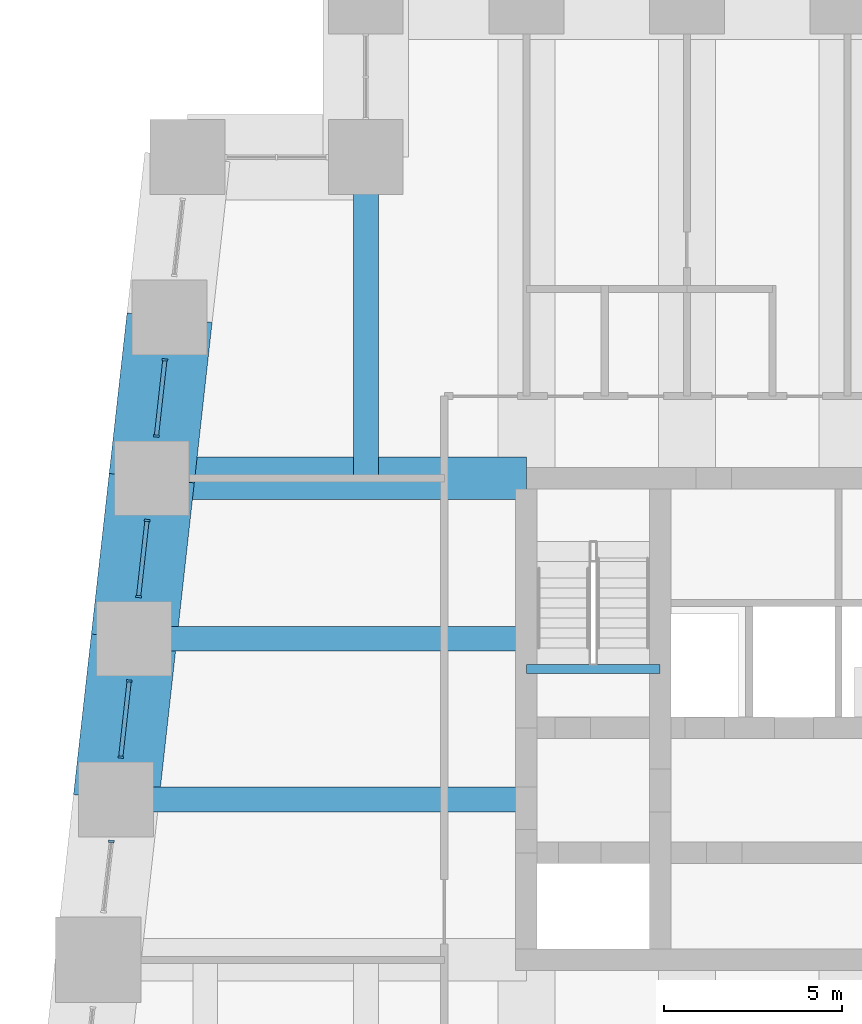
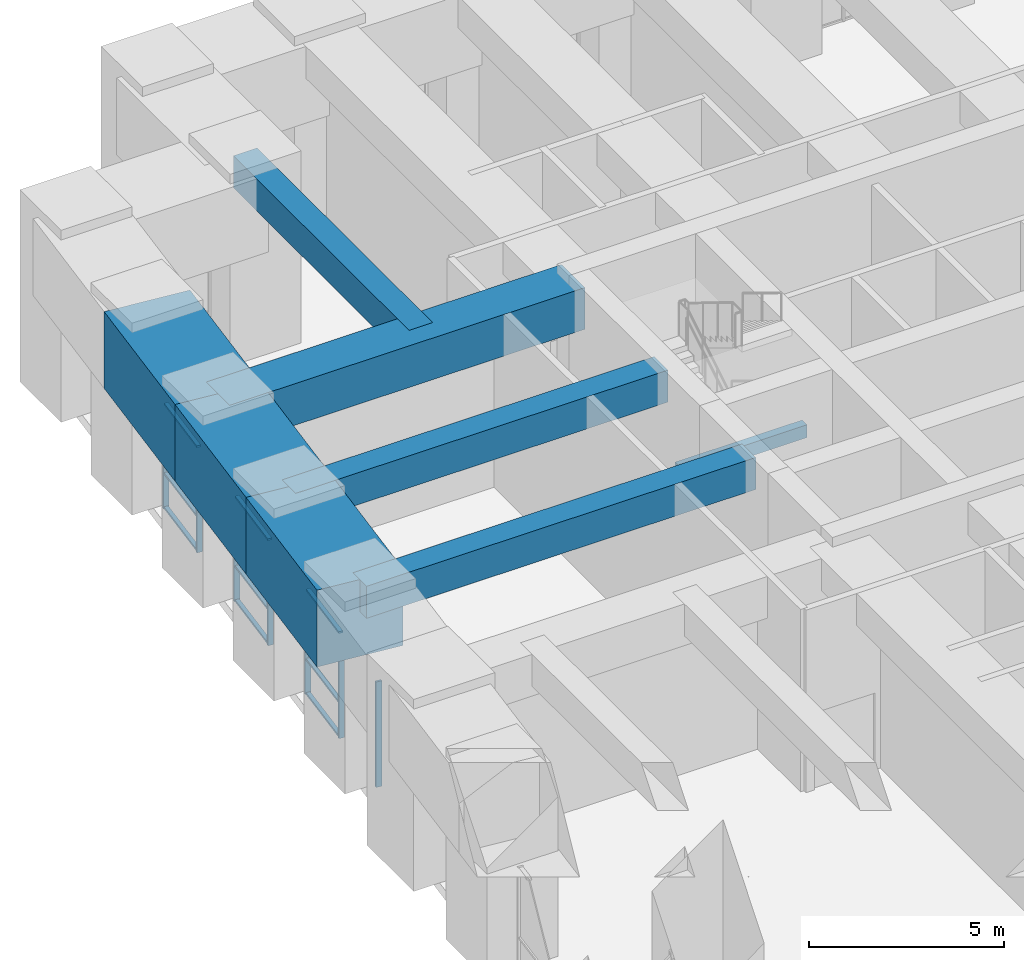
# One storey, part 4 of 17: 16 members, 8 beams, 4 elements without a shape of their own.
"""IFC4 building model written with IfcOpenShell, lengths in metres."""

from ifc_helpers import new_model, si_unit, direction, frame, origin, origin_2d, place, context, subcontext, project, spatial, rectangle, extrude, material, material_profile, profile_set, type_object, element, aggregate, save


model = new_model("IFC4")

# Units and contexts
model_context = context("Model", 3, precision=1e-05, world=origin(), true_north=direction((0.0, 1.0)))
body_context = subcontext(model_context, "Body", "Model", "MODEL_VIEW")
ifc_project = project(units=[si_unit("LENGTHUNIT", "METRE"), si_unit("AREAUNIT", "SQUARE_METRE"), si_unit("VOLUMEUNIT", "CUBIC_METRE"), si_unit("PLANEANGLEUNIT", "RADIAN"), si_unit("MASSUNIT", "GRAM", prefix="KILO")], contexts=[model_context])

# Site, building, storey
site_placement = place(None, origin())
site = spatial("IfcSite", under=ifc_project, at=site_placement, CompositionType="ELEMENT")
building_placement = place(site_placement, origin())
building = spatial("IfcBuilding", under=site, at=building_placement, Name="Kilele Tower Hotel", CompositionType="ELEMENT")
storey_placement = place(building_placement, frame((0.0, 0.0, 145.89990234375)))
storey = spatial("IfcBuildingStorey", under=building, at=storey_placement, Name="L38", CompositionType="ELEMENT", Elevation=145.89990234375)

# Beams
ifc_material_1 = material(Name="Concrete C60/75", Category="concrete")
ifc_material_profile_1 = material_profile(ifc_material_1, rectangle(XDim=0.699951171875, YDim=1.0, at=origin_2d()))
ifc_profile_set_1 = profile_set([ifc_material_profile_1], Name="Concrete C60/75")
beam_type_1 = type_object("IfcBeamType", Name="Beam RC 700x1000 C60/75 mid span", PredefinedType="BEAM", material=ifc_profile_set_1)
beam_1_placement = place(storey_placement, frame((9.0, 36.0, 5.2001953125), z_axis=(0.0, -1.0, 0.0), x_axis=(1.0, 0.0, 0.0)))
element("IfcBeam", 1, at=beam_1_placement, inside=storey, type_object=beam_type_1, Name="Beam B5 level L39", PredefinedType="BEAM", context=body_context, shape_type="SweptSolid", body=[
    extrude(rectangle(XDim=0.699951171875, YDim=1.0, at=origin_2d()), origin(), (0.0, 0.0, 1.0), 9.0),
])
beam_2_placement = place(storey_placement, frame((2.5, 22.5, 5.2001953125), z_axis=(1.0, 0.0, 0.0), x_axis=(0.0, 1.0, 0.0)))
element("IfcBeam", 2, at=beam_2_placement, inside=storey, type_object=beam_type_1, Name="Beam B5 level L39", PredefinedType="BEAM", context=body_context, shape_type="SweptSolid", body=[
    extrude(rectangle(XDim=0.699951171875, YDim=1.0, at=origin_2d()), origin(), (0.0, 0.0, 1.0), 11.0),
])
beam_3_placement = place(storey_placement, frame((2.0, 18.0, 5.2001953125), z_axis=(1.0, 0.0, 0.0), x_axis=(0.0, 1.0, 0.0)))
element("IfcBeam", 3, at=beam_3_placement, inside=storey, type_object=beam_type_1, Name="Beam B5 level L39", PredefinedType="BEAM", context=body_context, shape_type="SweptSolid", body=[
    extrude(rectangle(XDim=0.699951171875, YDim=1.0, at=origin_2d()), origin(), (0.0, 0.0, 1.0), 11.5),
])
ifc_material_2 = material(Name="Concrete C60/75", Category="concrete")
ifc_material_profile_2 = material_profile(ifc_material_2, rectangle(XDim=1.199951171875, YDim=1.300048828125, at=origin_2d()))
ifc_profile_set_2 = profile_set([ifc_material_profile_2], Name="Concrete C60/75")
beam_type_2 = type_object("IfcBeamType", Name="Girder RC 1200x1300 C60/75 mid span", PredefinedType="BEAM", material=ifc_profile_set_2)
beam_4_placement = place(storey_placement, frame((3.0, 27.0, 5.050048828125), z_axis=(1.0, 0.0, 0.0), x_axis=(0.0, 1.0, 0.0)))
element("IfcBeam", 4, at=beam_4_placement, inside=storey, type_object=beam_type_2, Name="Girder G3 level L39", PredefinedType="BEAM", context=body_context, shape_type="SweptSolid", body=[
    extrude(rectangle(XDim=1.199951171875, YDim=1.300048828125, at=origin_2d()), origin(), (0.0, 0.0, 1.0), 10.5),
])
ifc_material_3 = material(Name="Concrete C40/50", Category="concrete")
ifc_material_profile_3 = material_profile(ifc_material_3, rectangle(XDim=0.25, YDim=0.39990234375, at=origin_2d()))
ifc_profile_set_3 = profile_set([ifc_material_profile_3], Name="Concrete C40/50")
beam_type_3 = type_object("IfcBeamType", Name="Landing beam RC 250x400 C40/50", PredefinedType="BEAM", material=ifc_profile_set_3)
beam_5_placement = place(storey_placement, frame((13.5, 21.64990234375, 2.857177734375), z_axis=(1.0, 0.0, 0.0), x_axis=(0.0, 1.0, 0.0)))
element("IfcBeam", 5, at=beam_5_placement, inside=storey, type_object=beam_type_3, Name="Landing beam ST1 L38", PredefinedType="BEAM", context=body_context, shape_type="SweptSolid", body=[
    extrude(rectangle(XDim=0.25, YDim=0.39990234375, at=origin_2d()), origin(), (0.0, 0.0, 1.0), 3.75),
])

# Curtain wall, members
ifc_material_4 = material(Name="Aluminium curtain wall, clear double glazing", Category="aluminium")
curtain_wall_type = type_object("IfcCurtainWallType", Name="Sky lobby curtain wall CW-3", PredefinedType="NOTDEFINED", material=ifc_material_4)
curtain_wall_1_placement = place(storey_placement, origin())
curtain_wall_1 = element("IfcCurtainWall", 6, at=curtain_wall_1_placement, inside=storey, type_object=curtain_wall_type, Name="Sky lobby curtain wall CW-3 L38", PredefinedType="NOTDEFINED")
ifc_material_5 = material(Name="Aluminium EN AW-6063 T6", Category="aluminium")
ifc_material_profile_4 = material_profile(ifc_material_5, rectangle(XDim=0.159912109375, YDim=0.06005859375, at=origin_2d()))
ifc_profile_set_4 = profile_set([ifc_material_profile_4], Name="Aluminium EN AW-6063 T6")
member_type_1 = type_object("IfcMemberType", Name="Mullion 60x160 CW-3", PredefinedType="MULLION", material=ifc_profile_set_4)
member_1_placement = place(storey_placement, frame((3.36865234375, 30.317626953125, 0.0), z_axis=(0.0, 0.0, 1.0), x_axis=(0.993883734629, -0.110431526475, 0.0)))
member_1 = element("IfcMember", 7, at=member_1_placement, type_object=member_type_1, Name="CW-3 mullion 1", PredefinedType="MULLION", context=body_context, shape_type="SweptSolid", body=[
    extrude(rectangle(XDim=0.159912109375, YDim=0.06005859375, at=origin_2d()), origin(), (0.0, 0.0, 1.0), 3.300048828125),
])
member_2_placement = place(storey_placement, frame((3.13134765625, 28.182373046875, 0.0), z_axis=(0.0, 0.0, 1.0), x_axis=(0.993883734629, -0.110431526475, 0.0)))
member_2 = element("IfcMember", 8, at=member_2_placement, type_object=member_type_1, Name="CW-3 mullion 2", PredefinedType="MULLION", context=body_context, shape_type="SweptSolid", body=[
    extrude(rectangle(XDim=0.159912109375, YDim=0.06005859375, at=origin_2d()), origin(), (0.0, 0.0, 1.0), 3.300048828125),
])

curtain_wall_2_placement = place(storey_placement, origin())
curtain_wall_2 = element("IfcCurtainWall", 9, at=curtain_wall_2_placement, inside=storey, type_object=curtain_wall_type, Name="Sky lobby curtain wall CW-3 L38", PredefinedType="NOTDEFINED")
member_3_placement = place(storey_placement, frame((2.86865234375, 25.817626953125, 0.0), z_axis=(0.0, 0.0, 1.0), x_axis=(0.993883734629, -0.110431526475, 0.0)))
member_3 = element("IfcMember", 10, at=member_3_placement, type_object=member_type_1, Name="CW-3 mullion 1", PredefinedType="MULLION", context=body_context, shape_type="SweptSolid", body=[
    extrude(rectangle(XDim=0.159912109375, YDim=0.06005859375, at=origin_2d()), origin(), (0.0, 0.0, 1.0), 3.300048828125),
])
member_4_placement = place(storey_placement, frame((2.63134765625, 23.682373046875, 0.0), z_axis=(0.0, 0.0, 1.0), x_axis=(0.993883734629, -0.110431526475, 0.0)))
member_4 = element("IfcMember", 11, at=member_4_placement, type_object=member_type_1, Name="CW-3 mullion 2", PredefinedType="MULLION", context=body_context, shape_type="SweptSolid", body=[
    extrude(rectangle(XDim=0.159912109375, YDim=0.06005859375, at=origin_2d()), origin(), (0.0, 0.0, 1.0), 3.300048828125),
])

curtain_wall_3_placement = place(storey_placement, origin())
curtain_wall_3 = element("IfcCurtainWall", 12, at=curtain_wall_3_placement, inside=storey, type_object=curtain_wall_type, Name="Sky lobby curtain wall CW-3 L38", PredefinedType="NOTDEFINED")
member_5_placement = place(storey_placement, frame((2.36865234375, 21.317626953125, 0.0), z_axis=(0.0, 0.0, 1.0), x_axis=(0.993883734629, -0.110431526475, 0.0)))
member_5 = element("IfcMember", 13, at=member_5_placement, type_object=member_type_1, Name="CW-3 mullion 1", PredefinedType="MULLION", context=body_context, shape_type="SweptSolid", body=[
    extrude(rectangle(XDim=0.159912109375, YDim=0.06005859375, at=origin_2d()), origin(), (0.0, 0.0, 1.0), 3.300048828125),
])
member_6_placement = place(storey_placement, frame((2.13134765625, 19.182373046875, 0.0), z_axis=(0.0, 0.0, 1.0), x_axis=(0.993883734629, -0.110431526475, 0.0)))
member_6 = element("IfcMember", 14, at=member_6_placement, type_object=member_type_1, Name="CW-3 mullion 2", PredefinedType="MULLION", context=body_context, shape_type="SweptSolid", body=[
    extrude(rectangle(XDim=0.159912109375, YDim=0.06005859375, at=origin_2d()), origin(), (0.0, 0.0, 1.0), 3.300048828125),
])

# Curtain wall, member
curtain_wall_4_placement = place(storey_placement, origin())
curtain_wall_4 = element("IfcCurtainWall", 15, at=curtain_wall_4_placement, inside=storey, type_object=curtain_wall_type, Name="Sky lobby curtain wall CW-3 L38", PredefinedType="NOTDEFINED")
member_7_placement = place(storey_placement, frame((1.86865234375, 16.817626953125, 0.0), z_axis=(0.0, 0.0, 1.0), x_axis=(0.993883734625, -0.11043152651, 0.0)))
member_7 = element("IfcMember", 16, at=member_7_placement, type_object=member_type_1, Name="CW-3 mullion 1", PredefinedType="MULLION", context=body_context, shape_type="SweptSolid", body=[
    extrude(rectangle(XDim=0.159912109375, YDim=0.06005859375, at=origin_2d()), origin(), (0.0, 0.0, 1.0), 3.300048828125),
])
aggregate(curtain_wall_4, [member_7])

# Beams
ifc_material_6 = material(Name="Concrete C60/75", Category="concrete")
ifc_material_profile_5 = material_profile(ifc_material_6, rectangle(XDim=2.39990234375, YDim=2.39990234375, at=origin_2d()))
ifc_profile_set_5 = profile_set([ifc_material_profile_5], Name="Concrete C60/75")
beam_type_4 = type_object("IfcBeamType", Name="Spandrel RC 2400x2400 C60/75", PredefinedType="SPANDREL", material=ifc_profile_set_5)
for number, where, z_axis, x_axis, name in (
    (17, (3.5, 31.5, 4.5), (-0.110431526075, -0.993883734674, 0.0), (0.993883734674, -0.110431526075, 0.0), "Spandrel SP15 level L39"),
    (18, (3.0, 27.0, 4.5), (-0.110431526075, -0.993883734674, 0.0), (0.993883734674, -0.110431526075, 0.0), "Spandrel SP15 level L39"),
    (19, (2.5, 22.5, 4.5), (-0.110431526075, -0.993883734674, 0.0), (0.993883734674, -0.110431526075, 0.0), "Spandrel SP15 level L39"),
):
    element("IfcBeam", number, at=place(storey_placement, frame(where, z_axis=z_axis, x_axis=x_axis)), inside=storey, type_object=beam_type_4, Name=name, PredefinedType="SPANDREL", context=body_context, shape_type="SweptSolid", body=[
        extrude(rectangle(XDim=2.39990234375, YDim=2.39990234375, at=origin_2d()), origin(), (0.0, 0.0, 1.0), 4.527587890625),
    ])

# Member
ifc_material_7 = material(Name="Aluminium EN AW-6063 T6", Category="aluminium")
ifc_material_profile_6 = material_profile(ifc_material_7, rectangle(XDim=0.1201171875, YDim=0.06005859375, at=origin_2d()))
ifc_profile_set_6 = profile_set([ifc_material_profile_6], Name="Aluminium EN AW-6063 T6")
member_type_2 = type_object("IfcMemberType", Name="Transom 60x120 CW-3", PredefinedType="USERDEFINED", material=ifc_profile_set_6)
member_8_placement = place(storey_placement, frame((3.365234375, 30.287841796875, 0.030029296875), z_axis=(-0.110354542159, -0.993892285424, 0.0), x_axis=(0.993892285424, -0.110354542159, 0.0)))
member_8 = element("IfcMember", 20, at=member_8_placement, type_object=member_type_2, Name="CW-3 transom 1.1", ObjectType="TRANSOM", PredefinedType="USERDEFINED", context=body_context, shape_type="SweptSolid", body=[
    extrude(rectangle(XDim=0.1201171875, YDim=0.06005859375, at=origin_2d()), origin(), (0.0, 0.0, 1.0), 2.08837890625),
])

member_9_placement = place(storey_placement, frame((3.365234375, 30.287841796875, 1.10009765625), z_axis=(-0.110354542159, -0.993892285424, 0.0), x_axis=(0.993892285424, -0.110354542159, 0.0)))
member_9 = element("IfcMember", 21, at=member_9_placement, type_object=member_type_2, Name="CW-3 transom 1.2", ObjectType="TRANSOM", PredefinedType="USERDEFINED", context=body_context, shape_type="SweptSolid", body=[
    extrude(rectangle(XDim=0.1201171875, YDim=0.06005859375, at=origin_2d()), origin(), (0.0, 0.0, 1.0), 2.08837890625),
])

member_10_placement = place(storey_placement, frame((3.365234375, 30.287841796875, 3.27001953125), z_axis=(-0.110354542159, -0.993892285424, 0.0), x_axis=(0.993892285424, -0.110354542159, 0.0)))
member_10 = element("IfcMember", 22, at=member_10_placement, type_object=member_type_2, Name="CW-3 transom 1.3", ObjectType="TRANSOM", PredefinedType="USERDEFINED", context=body_context, shape_type="SweptSolid", body=[
    extrude(rectangle(XDim=0.1201171875, YDim=0.06005859375, at=origin_2d()), origin(), (0.0, 0.0, 1.0), 2.08837890625),
])

aggregate(curtain_wall_1, [member_1, member_2, member_8, member_9, member_10])

member_11_placement = place(storey_placement, frame((2.865234375, 25.787841796875, 0.030029296875), z_axis=(-0.110354542159, -0.993892285424, 0.0), x_axis=(0.993892285424, -0.110354542159, 0.0)))
member_11 = element("IfcMember", 23, at=member_11_placement, type_object=member_type_2, Name="CW-3 transom 1.1", ObjectType="TRANSOM", PredefinedType="USERDEFINED", context=body_context, shape_type="SweptSolid", body=[
    extrude(rectangle(XDim=0.1201171875, YDim=0.06005859375, at=origin_2d()), origin(), (0.0, 0.0, 1.0), 2.08837890625),
])

member_12_placement = place(storey_placement, frame((2.865234375, 25.787841796875, 1.10009765625), z_axis=(-0.110354542159, -0.993892285424, 0.0), x_axis=(0.993892285424, -0.110354542159, 0.0)))
member_12 = element("IfcMember", 24, at=member_12_placement, type_object=member_type_2, Name="CW-3 transom 1.2", ObjectType="TRANSOM", PredefinedType="USERDEFINED", context=body_context, shape_type="SweptSolid", body=[
    extrude(rectangle(XDim=0.1201171875, YDim=0.06005859375, at=origin_2d()), origin(), (0.0, 0.0, 1.0), 2.08837890625),
])

member_13_placement = place(storey_placement, frame((2.865234375, 25.787841796875, 3.27001953125), z_axis=(-0.110354542159, -0.993892285424, 0.0), x_axis=(0.993892285424, -0.110354542159, 0.0)))
member_13 = element("IfcMember", 25, at=member_13_placement, type_object=member_type_2, Name="CW-3 transom 1.3", ObjectType="TRANSOM", PredefinedType="USERDEFINED", context=body_context, shape_type="SweptSolid", body=[
    extrude(rectangle(XDim=0.1201171875, YDim=0.06005859375, at=origin_2d()), origin(), (0.0, 0.0, 1.0), 2.08837890625),
])

aggregate(curtain_wall_2, [member_3, member_4, member_11, member_12, member_13])

member_14_placement = place(storey_placement, frame((2.365234375, 21.287841796875, 0.030029296875), z_axis=(-0.110354542159, -0.993892285424, 0.0), x_axis=(0.993892285424, -0.110354542159, 0.0)))
member_14 = element("IfcMember", 26, at=member_14_placement, type_object=member_type_2, Name="CW-3 transom 1.1", ObjectType="TRANSOM", PredefinedType="USERDEFINED", context=body_context, shape_type="SweptSolid", body=[
    extrude(rectangle(XDim=0.1201171875, YDim=0.06005859375, at=origin_2d()), origin(), (0.0, 0.0, 1.0), 2.08837890625),
])

member_15_placement = place(storey_placement, frame((2.365234375, 21.287841796875, 1.10009765625), z_axis=(-0.110354542159, -0.993892285424, 0.0), x_axis=(0.993892285424, -0.110354542159, 0.0)))
member_15 = element("IfcMember", 27, at=member_15_placement, type_object=member_type_2, Name="CW-3 transom 1.2", ObjectType="TRANSOM", PredefinedType="USERDEFINED", context=body_context, shape_type="SweptSolid", body=[
    extrude(rectangle(XDim=0.1201171875, YDim=0.06005859375, at=origin_2d()), origin(), (0.0, 0.0, 1.0), 2.08837890625),
])

member_16_placement = place(storey_placement, frame((2.365234375, 21.287841796875, 3.27001953125), z_axis=(-0.110354542159, -0.993892285424, 0.0), x_axis=(0.993892285424, -0.110354542159, 0.0)))
member_16 = element("IfcMember", 28, at=member_16_placement, type_object=member_type_2, Name="CW-3 transom 1.3", ObjectType="TRANSOM", PredefinedType="USERDEFINED", context=body_context, shape_type="SweptSolid", body=[
    extrude(rectangle(XDim=0.1201171875, YDim=0.06005859375, at=origin_2d()), origin(), (0.0, 0.0, 1.0), 2.08837890625),
])

aggregate(curtain_wall_3, [member_5, member_6, member_14, member_15, member_16])

save(model, "model.ifc")
